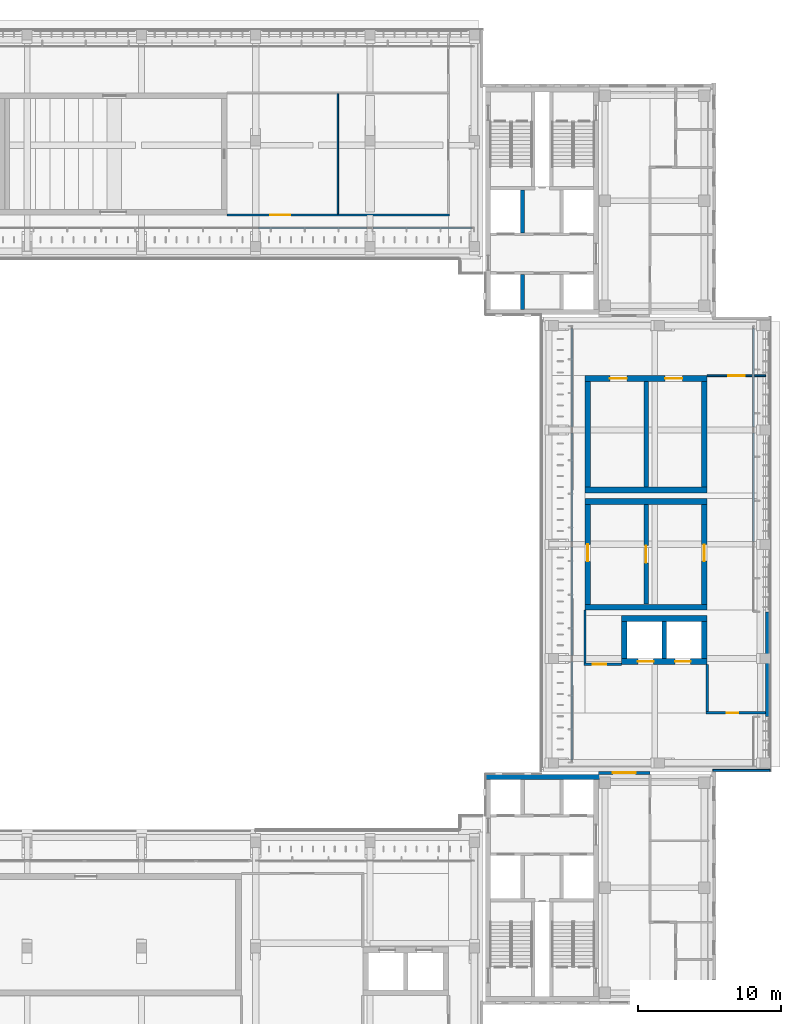
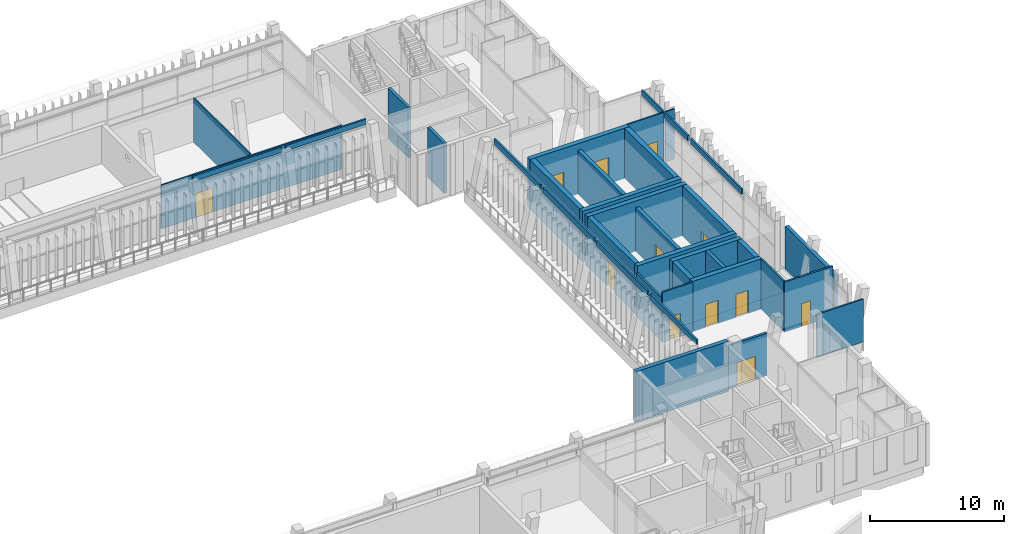
# One storey, part 49 of 74: 37 walls, 12 doors, 12 openings.
"""IFC4 building model written with IfcOpenShell, lengths in metres."""

from ifc_helpers import new_model, si_unit, direction, frame, frame_2d, origin, place, context, subcontext, project, spatial, rectangle, extrude, material, layer, layer_set, type_object, element, fill, save


model = new_model("IFC4")

# Units and contexts
model_context = context("Model", 3, precision=1e-05, world=origin(), true_north=direction((0.0, 1.0)))
body_context = subcontext(model_context, "Body", "Model", "MODEL_VIEW")
ifc_project = project(units=[si_unit("LENGTHUNIT", "METRE"), si_unit("AREAUNIT", "SQUARE_METRE"), si_unit("VOLUMEUNIT", "CUBIC_METRE"), si_unit("PLANEANGLEUNIT", "RADIAN"), si_unit("MASSUNIT", "GRAM", prefix="KILO")], contexts=[model_context])

# Site, building, storey
site_placement = place(None, origin())
site = spatial("IfcSite", under=ifc_project, at=site_placement, CompositionType="ELEMENT")
building_placement = place(site_placement, origin())
building = spatial("IfcBuilding", under=site, at=building_placement, Name="Lantern Court Media Centre", CompositionType="ELEMENT")
storey_placement = place(building_placement, frame((0.0, 0.0, 19.199951171875)))
storey = spatial("IfcBuildingStorey", under=building, at=storey_placement, Name="L04", CompositionType="ELEMENT", Elevation=19.199951171875)

# Wall, opening, door
ifc_material_1 = material(Name="Gypsum board partition")
ifc_layer_1 = layer(ifc_material_1, 0.125)
ifc_layer_set_1 = layer_set([ifc_layer_1], Name="Gypsum board partition")
wall_type_1 = type_object("IfcWallType", Name="Corridor partition 125", PredefinedType="PARTITIONING", material=ifc_layer_set_1)
wall_1_placement = place(storey_placement, frame((62.0, 103.050048828125, 0.0), z_axis=(0.0, 0.0, 1.0), x_axis=(1.0, 0.0, 0.0)))
wall_1 = element("IfcWall", 1, at=wall_1_placement, inside=storey, type_object=wall_type_1, Name="L04 partition 020", PredefinedType="PARTITIONING", context=body_context, shape_type="SweptSolid", body=[
    extrude(rectangle(XDim=15.5625, YDim=0.125, at=frame_2d((7.78125, 0.0))), origin(), (0.0, 0.0, 1.0), 3.97998046875),
])
opening_1_placement = place(wall_1_placement, frame((3.0, 0.0, 0.0)))
opening_1 = element("IfcOpeningElement", 2, at=opening_1_placement, cuts=wall_1, Name="Opening L04-012", PredefinedType="OPENING", context=body_context, shape_type="SweptSolid", body=[
    extrude(rectangle(XDim=1.39990234375, YDim=2.199951171875, at=frame_2d((0.699951171875, 1.10009765625))), frame((0.0, 0.072509765625, 0.0), z_axis=(0.0, -1.0, 0.0), x_axis=(1.0, 0.0, 0.0)), (0.0, 0.0, 1.0), 0.14501953125),
])
ifc_material_2 = material(Name="Solid-core timber door leaf", Category="wood")
door_type_1 = type_object("IfcDoorType", Name="Double door 1400x2200", OperationType="NOTDEFINED", PredefinedType="DOOR", material=ifc_material_2)
door_1_placement = place(opening_1_placement, origin())
door_1 = element("IfcDoor", 3, at=door_1_placement, inside=storey, type_object=door_type_1, Name="L04 Meeting Room 01 door", OperationType="DOUBLE_DOOR_SINGLE_SWING", OverallHeight=2.199951171875, OverallWidth=1.39990234375, PredefinedType="DOOR", context=body_context, shape_type="SweptSolid", body=[
    extrude(rectangle(XDim=1.39990234375, YDim=2.199951171875, at=frame_2d((0.699951171875, 1.10009765625))), frame((0.0, 0.02490234375, 0.0), z_axis=(0.0, -1.0, 0.0), x_axis=(1.0, 0.0, 0.0)), (0.0, 0.0, 1.0), 0.050048828125),
])
fill(opening_1, door_1)

wall_2_placement = place(storey_placement, frame((95.60498046875, 91.800048828125, 0.0), z_axis=(0.0, 0.0, 1.0), x_axis=(1.0, 0.0, 0.0)))
wall_2 = element("IfcWall", 4, at=wall_2_placement, inside=storey, type_object=wall_type_1, Name="L04 partition 029", PredefinedType="PARTITIONING", context=body_context, shape_type="SweptSolid", body=[
    extrude(rectangle(XDim=3.1650390625, YDim=0.125, at=frame_2d((1.58251953125, 0.0))), origin(), (0.0, 0.0, 1.0), 4.56005859375),
])
opening_2_placement = place(wall_2_placement, frame((1.469970703125, 0.0, 0.0)))
opening_2 = element("IfcOpeningElement", 5, at=opening_2_placement, cuts=wall_2, Name="Opening L04-028", PredefinedType="OPENING", context=body_context, shape_type="SweptSolid", body=[
    extrude(rectangle(XDim=1.14990234375, YDim=2.10009765625, at=frame_2d((0.574951171875, 1.050048828125))), frame((0.0, 0.072509765625, 0.0), z_axis=(0.0, -1.0, 0.0), x_axis=(1.0, 0.0, 0.0)), (0.0, 0.0, 1.0), 0.14501953125),
])
door_type_2 = type_object("IfcDoorType", Name="Single door 1150x2100", OperationType="NOTDEFINED", PredefinedType="DOOR", material=ifc_material_2)
door_2_placement = place(opening_2_placement, frame((1.14990234375, 0.0, 0.0), z_axis=(0.0, 0.0, 1.0), x_axis=(-1.0, 0.0, 0.0)))
door_2 = element("IfcDoor", 6, at=door_2_placement, inside=storey, type_object=door_type_2, Name="L04 Engineering Workshop door", OperationType="SINGLE_SWING_LEFT", OverallHeight=2.10009765625, OverallWidth=1.14990234375, PredefinedType="DOOR", context=body_context, shape_type="SweptSolid", body=[
    extrude(rectangle(XDim=1.14990234375, YDim=2.10009765625, at=frame_2d((0.574951171875, 1.050048828125))), frame((0.0, 0.02490234375, 0.0), z_axis=(0.0, -1.0, 0.0), x_axis=(1.0, 0.0, 0.0)), (0.0, 0.0, 1.0), 0.050048828125),
])
fill(opening_2, door_2)

# Walls
wall_3_placement = place(storey_placement, frame((98.929931640625, 91.800048828125, 0.0), z_axis=(0.0, 0.0, 1.0), x_axis=(1.0, 0.0, 0.0)))
element("IfcWall", 7, at=wall_3_placement, inside=storey, type_object=wall_type_1, Name="L04 partition 030", PredefinedType="PARTITIONING", context=body_context, shape_type="SweptSolid", body=[
    extrude(rectangle(XDim=0.77001953125, YDim=0.125, at=frame_2d((0.385009765625, 0.0))), origin(), (0.0, 0.0, 1.0), 4.56005859375),
])
ifc_material_3 = material(Name="Insulated rendered blockwork", Category="masonry")
ifc_layer_2 = layer(ifc_material_3, 0.14990234375)
ifc_layer_set_2 = layer_set([ifc_layer_2], Name="Insulated rendered blockwork")
wall_type_2 = type_object("IfcWallType", Name="Head infill wall 150", PredefinedType="SOLIDWALL", material=ifc_layer_set_2)
wall_4_placement = place(storey_placement, frame((64.199951171875, 102.14990234375, 4.10009765625), z_axis=(0.0, 0.0, 1.0), x_axis=(1.0, 0.0, 0.0)))
element("IfcWall", 8, at=wall_4_placement, inside=storey, type_object=wall_type_2, Name="Head infill wall N inner L04", PredefinedType="SOLIDWALL", context=body_context, shape_type="SweptSolid", body=[
    extrude(rectangle(XDim=7.60009765625, YDim=0.14990234375, at=frame_2d((3.800048828125, 0.0))), origin(), (0.0, 0.0, 1.0), 0.47998046875),
])
wall_5_placement = place(storey_placement, frame((72.199951171875, 102.14990234375, 4.10009765625), z_axis=(0.0, 0.0, 1.0), x_axis=(1.0, 0.0, 0.0)))
element("IfcWall", 9, at=wall_5_placement, inside=storey, type_object=wall_type_2, Name="Head infill wall N inner L04", PredefinedType="SOLIDWALL", context=body_context, shape_type="SweptSolid", body=[
    extrude(rectangle(XDim=6.900146484375, YDim=0.14990234375, at=frame_2d((3.4501953125, 0.0))), origin(), (0.0, 0.0, 1.0), 0.47998046875),
])
wall_6_placement = place(storey_placement, frame((98.85009765625, 80.199951171875, 4.10009765625), z_axis=(0.0, 0.0, 1.0), x_axis=(0.0, 1.0, 0.0)))
element("IfcWall", 10, at=wall_6_placement, inside=storey, type_object=wall_type_2, Name="Head infill wall E outer L04", PredefinedType="SOLIDWALL", context=body_context, shape_type="SweptSolid", body=[
    extrude(rectangle(XDim=7.60009765625, YDim=0.14990234375, at=frame_2d((3.800048828125, 0.0))), origin(), (0.0, 0.0, 1.0), 0.47998046875),
])
for number, where, z_axis, x_axis, name in (
    (11, (98.85009765625, 88.199951171875, 4.10009765625), (0.0, 0.0, 1.0), (0.0, 1.0, 0.0), "Head infill wall E outer L04"),
    (12, (86.14990234375, 64.89990234375, 4.10009765625), (0.0, 0.0, 1.0), (0.0, 1.0, 0.0), "Head infill wall E inner L04"),
):
    element("IfcWall", number, at=place(storey_placement, frame(where, z_axis=z_axis, x_axis=x_axis)), inside=storey, type_object=wall_type_2, Name=name, PredefinedType="SOLIDWALL", context=body_context, shape_type="SweptSolid", body=[
        extrude(rectangle(XDim=6.900146484375, YDim=0.14990234375, at=frame_2d((3.4501953125, 0.0))), origin(), (0.0, 0.0, 1.0), 0.47998046875),
    ])
for number, where, z_axis, x_axis, name in (
    (13, (86.14990234375, 72.199951171875, 4.10009765625), (0.0, 0.0, 1.0), (0.0, 1.0, 0.0), "Head infill wall E inner L04"),
    (14, (86.14990234375, 80.199951171875, 4.10009765625), (0.0, 0.0, 1.0), (0.0, 1.0, 0.0), "Head infill wall E inner L04"),
):
    element("IfcWall", number, at=place(storey_placement, frame(where, z_axis=z_axis, x_axis=x_axis)), inside=storey, type_object=wall_type_2, Name=name, PredefinedType="SOLIDWALL", context=body_context, shape_type="SweptSolid", body=[
        extrude(rectangle(XDim=7.60009765625, YDim=0.14990234375, at=frame_2d((3.800048828125, 0.0))), origin(), (0.0, 0.0, 1.0), 0.47998046875),
    ])
wall_7_placement = place(storey_placement, frame((86.14990234375, 88.199951171875, 4.10009765625), z_axis=(0.0, 0.0, 1.0), x_axis=(0.0, 1.0, 0.0)))
element("IfcWall", 15, at=wall_7_placement, inside=storey, type_object=wall_type_2, Name="Head infill wall E inner L04", PredefinedType="SOLIDWALL", context=body_context, shape_type="SweptSolid", body=[
    extrude(rectangle(XDim=6.900146484375, YDim=0.14990234375, at=frame_2d((3.4501953125, 0.0))), origin(), (0.0, 0.0, 1.0), 0.47998046875),
])
ifc_material_4 = material(Name="Honed limestone cladding on blockwork", Category="masonry")
ifc_layer_3 = layer(ifc_material_4, 0.139892578125)
ifc_layer_set_3 = layer_set([ifc_layer_3], Name="Honed limestone cladding on blockwork")
wall_type_3 = type_object("IfcWallType", Name="Limestone closure wall 140", PredefinedType="SOLIDWALL", material=ifc_layer_set_3)
wall_8_placement = place(storey_placement, frame((96.0, 64.169921875, 0.0), z_axis=(0.0, 0.0, 1.0), x_axis=(1.0, 0.0, 0.0)))
element("IfcWall", 16, at=wall_8_placement, inside=storey, type_object=wall_type_3, Name="Limestone closure wall E-SE L04", PredefinedType="SOLIDWALL", context=body_context, shape_type="SweptSolid", body=[
    extrude(rectangle(XDim=4.0, YDim=0.139892578125, at=frame_2d((2.0, 0.0))), origin(), (0.0, 0.0, 1.0), 3.900146484375),
])
ifc_layer_4 = layer(ifc_material_4, 0.300048828125)
ifc_layer_set_4 = layer_set([ifc_layer_4], Name="Honed limestone cladding on blockwork")
wall_type_4 = type_object("IfcWallType", Name="Limestone flank wall 300", PredefinedType="SOLIDWALL", material=ifc_layer_set_4)
wall_9_placement = place(storey_placement, frame((99.85009765625, 67.949951171875, 0.0), z_axis=(0.0, 0.0, 1.0), x_axis=(0.0, 1.0, 0.0)))
element("IfcWall", 17, at=wall_9_placement, inside=storey, type_object=wall_type_4, Name="Limestone flank wall E outer L04", PredefinedType="SOLIDWALL", context=body_context, shape_type="SweptSolid", body=[
    extrude(rectangle(XDim=7.300048828125, YDim=0.300048828125, at=frame_2d((3.64990234375, 0.0))), origin(), (0.0, 0.0, 1.0), 3.900146484375),
])

# Wall, opening, door
ifc_material_5 = material(Name="Fire-rated gypsum board")
ifc_layer_5 = layer(ifc_material_5, 0.199951171875)
ifc_layer_set_5 = layer_set([ifc_layer_5], Name="Fire-rated gypsum board")
wall_type_5 = type_object("IfcWallType", Name="Movement-joint compartment wall 200", PredefinedType="PARTITIONING", material=ifc_layer_set_5)
wall_10_placement = place(storey_placement, frame((88.0, 64.0, 0.0), z_axis=(0.0, 0.0, 1.0), x_axis=(1.0, 0.0, 0.0)))
wall_10 = element("IfcWall", 18, at=wall_10_placement, inside=storey, type_object=wall_type_5, Name="L04 movement-joint wall 17", PredefinedType="PARTITIONING", context=body_context, shape_type="SweptSolid", body=[
    extrude(rectangle(XDim=3.60009765625, YDim=0.199951171875, at=frame_2d((1.800048828125, 0.0))), origin(), (0.0, 0.0, 1.0), 3.880126953125),
])
opening_3_placement = place(wall_10_placement, frame((1.0, 0.0, 0.0)))
opening_3 = element("IfcOpeningElement", 19, at=opening_3_placement, cuts=wall_10, Name="Opening L04-J17", PredefinedType="OPENING", context=body_context, shape_type="SweptSolid", body=[
    extrude(rectangle(XDim=1.60009765625, YDim=2.10009765625, at=frame_2d((0.800048828125, 1.050048828125))), frame((0.0, 0.10986328125, 0.0), z_axis=(0.0, -1.0, 0.0), x_axis=(1.0, 0.0, 0.0)), (0.0, 0.0, 1.0), 0.219970703125),
])
ifc_material_6 = material(Name="Steel door leaf", Category="steel")
door_type_3 = type_object("IfcDoorType", Name="Movement-joint fire door pair 1600x2100", OperationType="NOTDEFINED", PredefinedType="DOOR", material=ifc_material_6)
door_3_placement = place(opening_3_placement, frame((1.60009765625, 0.0, 0.0), z_axis=(0.0, 0.0, 1.0), x_axis=(-1.0, 0.0, 0.0)))
door_3 = element("IfcDoor", 20, at=door_3_placement, inside=storey, type_object=door_type_3, Name="L04 bar end lobby door 17", OperationType="DOUBLE_DOOR_SINGLE_SWING", OverallHeight=2.10009765625, OverallWidth=1.60009765625, PredefinedType="DOOR", context=body_context, shape_type="SweptSolid", body=[
    extrude(rectangle(XDim=1.60009765625, YDim=2.10009765625, at=frame_2d((0.800048828125, 1.050048828125))), frame((0.0, 0.02490234375, 0.0), z_axis=(0.0, -1.0, 0.0), x_axis=(1.0, 0.0, 0.0)), (0.0, 0.0, 1.0), 0.050048828125),
])
fill(opening_3, door_3)

# Wall
ifc_layer_6 = layer(ifc_material_1, 0.10009765625)
ifc_layer_set_6 = layer_set([ifc_layer_6], Name="Gypsum board partition")
wall_type_6 = type_object("IfcWallType", Name="Partition 100", PredefinedType="PARTITIONING", material=ifc_layer_set_6)
wall_11_placement = place(storey_placement, frame((69.75, 103.112548828125, 0.0), z_axis=(0.0, 0.0, 1.0), x_axis=(0.0, 1.0, 0.0)))
element("IfcWall", 21, at=wall_11_placement, inside=storey, type_object=wall_type_6, Name="L04 partition 021", PredefinedType="PARTITIONING", context=body_context, shape_type="SweptSolid", body=[
    extrude(rectangle(XDim=8.4375, YDim=0.10009765625, at=frame_2d((4.21875, 0.0))), origin(), (0.0, 0.0, 1.0), 4.080078125),
])

# Wall, opening, door
ifc_material_7 = material(Name="Concrete blockwork C20", Category="masonry")
ifc_layer_7 = layer(ifc_material_7, 0.14990234375)
ifc_layer_set_7 = layer_set([ifc_layer_7], Name="Concrete blockwork C20")
wall_type_7 = type_object("IfcWallType", Name="Partition 150 masonry", PredefinedType="PARTITIONING", material=ifc_layer_set_7)
wall_12_placement = place(storey_placement, frame((86.97509765625, 71.60009765625, 0.0), z_axis=(0.0, 0.0, 1.0), x_axis=(1.0, 0.0, 0.0)))
wall_12 = element("IfcWall", 22, at=wall_12_placement, inside=storey, type_object=wall_type_7, Name="L04 partition 034", PredefinedType="PARTITIONING", context=body_context, shape_type="SweptSolid", body=[
    extrude(rectangle(XDim=2.619873046875, YDim=0.14990234375, at=frame_2d((1.31005859375, 0.0))), origin(), (0.0, 0.0, 1.0), 4.56005859375),
])
opening_4_placement = place(wall_12_placement, frame((0.60009765625, 0.0, 0.0)))
opening_4 = element("IfcOpeningElement", 23, at=opening_4_placement, cuts=wall_12, Name="Opening L04-021", PredefinedType="OPENING", context=body_context, shape_type="SweptSolid", body=[
    extrude(rectangle(XDim=0.949951171875, YDim=2.10009765625, at=frame_2d((0.47509765625, 1.050048828125))), frame((0.0, 0.0849609375, 0.0), z_axis=(0.0, -1.0, 0.0), x_axis=(1.0, 0.0, 0.0)), (0.0, 0.0, 1.0), 0.169921875),
])
door_type_4 = type_object("IfcDoorType", Name="Accessible WC door 950x2100", OperationType="NOTDEFINED", PredefinedType="DOOR", material=ifc_material_2)
door_4_placement = place(opening_4_placement, origin())
door_4 = element("IfcDoor", 24, at=door_4_placement, inside=storey, type_object=door_type_4, Name="L04 Accessible WC door", OperationType="SINGLE_SWING_RIGHT", OverallHeight=2.10009765625, OverallWidth=0.949951171875, PredefinedType="DOOR", context=body_context, shape_type="SweptSolid", body=[
    extrude(rectangle(XDim=0.949951171875, YDim=2.10009765625, at=frame_2d((0.47509765625, 1.050048828125))), frame((0.0, 0.02490234375, 0.0), z_axis=(0.0, -1.0, 0.0), x_axis=(1.0, 0.0, 0.0)), (0.0, 0.0, 1.0), 0.050048828125),
])
fill(opening_4, door_4)

# Walls
wall_13_placement = place(storey_placement, frame((87.050048828125, 71.675048828125, 0.0), z_axis=(0.0, 0.0, 1.0), x_axis=(0.0, 1.0, 0.0)))
element("IfcWall", 25, at=wall_13_placement, inside=storey, type_object=wall_type_7, Name="L04 partition 037", PredefinedType="PARTITIONING", context=body_context, shape_type="SweptSolid", body=[
    extrude(rectangle(XDim=3.724853515625, YDim=0.14990234375, at=frame_2d((1.8623046875, 0.0))), origin(), (0.0, 0.0, 1.0), 3.97998046875),
])
ifc_material_8 = material(Name="Concrete C40", Category="concrete")
ifc_layer_8 = layer(ifc_material_8, 0.35009765625)
ifc_layer_set_8 = layer_set([ifc_layer_8], Name="Concrete C40")
wall_type_8 = type_object("IfcWallType", Name="RC CORE WALL 350", PredefinedType="SHEAR", material=ifc_layer_set_8)
wall_14_placement = place(storey_placement, frame((80.10009765625, 63.72509765625, 0.0), z_axis=(0.0, 0.0, 1.0), x_axis=(1.0, 0.0, 0.0)))
element("IfcWall", 26, at=wall_14_placement, inside=storey, type_object=wall_type_8, Name="WC-SE-L04-N", PredefinedType="SHEAR", context=body_context, shape_type="SweptSolid", body=[
    extrude(rectangle(XDim=7.949951171875, YDim=0.35009765625, at=frame_2d((3.97509765625, 0.0))), origin(), (0.0, 0.0, 1.0), 4.580078125),
])
ifc_layer_9 = layer(ifc_material_8, 0.300048828125)
ifc_layer_set_9 = layer_set([ifc_layer_9], Name="Concrete C40")
wall_type_9 = type_object("IfcWallType", Name="RC SHEAR WALL 300", PredefinedType="SHEAR", material=ifc_layer_set_9)
wall_15_placement = place(storey_placement, frame((92.60009765625, 72.0, 0.0), z_axis=(0.0, 0.0, 1.0), x_axis=(0.0, 1.0, 0.0)))
element("IfcWall", 27, at=wall_15_placement, inside=storey, type_object=wall_type_9, Name="WB-E-LC-L04-D", PredefinedType="SHEAR", context=body_context, shape_type="SweptSolid", body=[
    extrude(rectangle(XDim=2.60009765625, YDim=0.300048828125, at=frame_2d((1.300048828125, 0.0))), origin(), (0.0, 0.0, 1.0), 4.580078125),
])

# Wall, openings, doors
ifc_layer_10 = layer(ifc_material_8, 0.39990234375)
ifc_layer_set_10 = layer_set([ifc_layer_10], Name="Concrete C40")
wall_type_10 = type_object("IfcWallType", Name="RC SHEAR WALL 400", PredefinedType="SHEAR", material=ifc_layer_set_10)
wall_16_placement = place(storey_placement, frame((89.60009765625, 71.800048828125, 0.0), z_axis=(0.0, 0.0, 1.0), x_axis=(1.0, 0.0, 0.0)))
wall_16 = element("IfcWall", 28, at=wall_16_placement, inside=storey, type_object=wall_type_10, Name="WB-E-LC-L04-S", PredefinedType="SHEAR", context=body_context, shape_type="SweptSolid", body=[
    extrude(rectangle(XDim=6.0, YDim=0.39990234375, at=frame_2d((3.0, 0.0))), origin(), (0.0, 0.0, 1.0), 4.580078125),
])
opening_5_placement = place(wall_16_placement, frame((1.14990234375, 0.0, 0.0)))
opening_5 = element("IfcOpeningElement", 29, at=opening_5_placement, cuts=wall_16, Name="Opening LD-E-LCP-L04", PredefinedType="OPENING", context=body_context, shape_type="SweptSolid", body=[
    extrude(rectangle(XDim=1.10009765625, YDim=2.10009765625, at=frame_2d((0.550048828125, 1.050048828125))), frame((0.0, 0.2099609375, 0.0), z_axis=(0.0, -1.0, 0.0), x_axis=(1.0, 0.0, 0.0)), (0.0, 0.0, 1.0), 0.419921875),
])
opening_6_placement = place(wall_16_placement, frame((3.75, 0.0, 0.0)))
opening_6 = element("IfcOpeningElement", 30, at=opening_6_placement, cuts=wall_16, Name="Opening LD-E-LCS-L04", PredefinedType="OPENING", context=body_context, shape_type="SweptSolid", body=[
    extrude(rectangle(XDim=1.10009765625, YDim=2.10009765625, at=frame_2d((0.550048828125, 1.050048828125))), frame((0.0, 0.2099609375, 0.0), z_axis=(0.0, -1.0, 0.0), x_axis=(1.0, 0.0, 0.0)), (0.0, 0.0, 1.0), 0.419921875),
])
door_type_5 = type_object("IfcDoorType", Name="Lift landing door 1100x2100", OperationType="DOUBLE_DOOR_SLIDING", PredefinedType="DOOR", material=ifc_material_6)
door_5_placement = place(opening_5_placement, frame((1.10009765625, 0.0, 0.0), z_axis=(0.0, 0.0, 1.0), x_axis=(-1.0, 0.0, 0.0)))
door_5 = element("IfcDoor", 31, at=door_5_placement, inside=storey, type_object=door_type_5, Name="L04 E-LC passenger lift landing door", OperationType="DOUBLE_DOOR_SLIDING", OverallHeight=2.10009765625, OverallWidth=1.10009765625, PredefinedType="DOOR", context=body_context, shape_type="SweptSolid", body=[
    extrude(rectangle(XDim=1.10009765625, YDim=2.10009765625, at=frame_2d((0.550048828125, 1.050048828125))), frame((0.0, 0.02490234375, 0.0), z_axis=(0.0, -1.0, 0.0), x_axis=(1.0, 0.0, 0.0)), (0.0, 0.0, 1.0), 0.050048828125),
])
fill(opening_5, door_5)
door_6_placement = place(opening_6_placement, frame((1.10009765625, 0.0, 0.0), z_axis=(0.0, 0.0, 1.0), x_axis=(-1.0, 0.0, 0.0)))
door_6 = element("IfcDoor", 32, at=door_6_placement, inside=storey, type_object=door_type_5, Name="L04 E-LC service lift landing door", OperationType="DOUBLE_DOOR_SLIDING", OverallHeight=2.10009765625, OverallWidth=1.10009765625, PredefinedType="DOOR", context=body_context, shape_type="SweptSolid", body=[
    extrude(rectangle(XDim=1.10009765625, YDim=2.10009765625, at=frame_2d((0.550048828125, 1.050048828125))), frame((0.0, 0.02490234375, 0.0), z_axis=(0.0, -1.0, 0.0), x_axis=(1.0, 0.0, 0.0)), (0.0, 0.0, 1.0), 0.050048828125),
])
fill(opening_6, door_6)

# Walls
wall_17_placement = place(storey_placement, frame((89.60009765625, 74.800048828125, 0.0), z_axis=(0.0, 0.0, 1.0), x_axis=(1.0, 0.0, 0.0)))
element("IfcWall", 33, at=wall_17_placement, inside=storey, type_object=wall_type_10, Name="WB-E-LC-L04-N", PredefinedType="SHEAR", context=body_context, shape_type="SweptSolid", body=[
    extrude(rectangle(XDim=6.0, YDim=0.39990234375, at=frame_2d((3.0, 0.0))), origin(), (0.0, 0.0, 1.0), 4.580078125),
])
for number, where, z_axis, x_axis, name in (
    (34, (89.800048828125, 72.0, 0.0), (0.0, 0.0, 1.0), (0.0, 1.0, 0.0), "WB-E-LC-L04-W"),
    (35, (95.39990234375, 72.0, 0.0), (0.0, 0.0, 1.0), (0.0, 1.0, 0.0), "WB-E-LC-L04-E"),
):
    element("IfcWall", number, at=place(storey_placement, frame(where, z_axis=z_axis, x_axis=x_axis)), inside=storey, type_object=wall_type_10, Name=name, PredefinedType="SHEAR", context=body_context, shape_type="SweptSolid", body=[
        extrude(rectangle(XDim=2.60009765625, YDim=0.39990234375, at=frame_2d((1.300048828125, 0.0))), origin(), (0.0, 0.0, 1.0), 4.580078125),
    ])
for number, where, z_axis, x_axis, name in (
    (36, (87.050048828125, 75.60009765625, 0.0), (0.0, 0.0, 1.0), (1.0, 0.0, 0.0), "WB-E-RAD1-L04-S"),
    (37, (87.050048828125, 83.0, 0.0), (0.0, 0.0, 1.0), (1.0, 0.0, 0.0), "WB-E-RAD1-L04-N"),
):
    element("IfcWall", number, at=place(storey_placement, frame(where, z_axis=z_axis, x_axis=x_axis)), inside=storey, type_object=wall_type_10, Name=name, PredefinedType="SHEAR", context=body_context, shape_type="SweptSolid", body=[
        extrude(rectangle(XDim=8.550048828125, YDim=0.39990234375, at=frame_2d((4.27490234375, 0.0))), origin(), (0.0, 0.0, 1.0), 4.580078125),
    ])

# Wall, opening, door
wall_18_placement = place(storey_placement, frame((87.25, 75.800048828125, 0.0), z_axis=(0.0, 0.0, 1.0), x_axis=(0.0, 1.0, 0.0)))
wall_18 = element("IfcWall", 38, at=wall_18_placement, inside=storey, type_object=wall_type_10, Name="WB-E-RAD1-L04-W", PredefinedType="SHEAR", context=body_context, shape_type="SweptSolid", body=[
    extrude(rectangle(XDim=7.0, YDim=0.39990234375, at=frame_2d((3.5, 0.0))), origin(), (0.0, 0.0, 1.0), 4.580078125),
])
opening_7_placement = place(wall_18_placement, frame((3.0, 0.0, 0.0)))
opening_7 = element("IfcOpeningElement", 39, at=opening_7_placement, cuts=wall_18, Name="Opening L04-023", PredefinedType="OPENING", context=body_context, shape_type="SweptSolid", body=[
    extrude(rectangle(XDim=1.199951171875, YDim=2.39990234375, at=frame_2d((0.60009765625, 1.199951171875))), frame((0.0, 0.2099609375, 0.0), z_axis=(0.0, -1.0, 0.0), x_axis=(1.0, 0.0, 0.0)), (0.0, 0.0, 1.0), 0.419921875),
])
ifc_material_9 = material(Name="Acoustic timber door leaf", Category="wood")
door_type_6 = type_object("IfcDoorType", Name="Studio sound-lock door 1200x2400", OperationType="NOTDEFINED", PredefinedType="DOOR", material=ifc_material_9)
door_7_placement = place(opening_7_placement, frame((1.199951171875, 0.0, 0.0), z_axis=(0.0, 0.0, 1.0), x_axis=(-1.0, 0.0, 0.0)))
door_7 = element("IfcDoor", 40, at=door_7_placement, inside=storey, type_object=door_type_6, Name="L04 Radio Studio 01 door", OperationType="SINGLE_SWING_RIGHT", OverallHeight=2.39990234375, OverallWidth=1.199951171875, PredefinedType="DOOR", context=body_context, shape_type="SweptSolid", body=[
    extrude(rectangle(XDim=1.199951171875, YDim=2.39990234375, at=frame_2d((0.60009765625, 1.199951171875))), frame((0.0, 0.02490234375, 0.0), z_axis=(0.0, -1.0, 0.0), x_axis=(1.0, 0.0, 0.0)), (0.0, 0.0, 1.0), 0.050048828125),
])
fill(opening_7, door_7)

wall_19_placement = place(storey_placement, frame((95.39990234375, 75.800048828125, 0.0), z_axis=(0.0, 0.0, 1.0), x_axis=(0.0, 1.0, 0.0)))
wall_19 = element("IfcWall", 41, at=wall_19_placement, inside=storey, type_object=wall_type_10, Name="WB-E-RAD1-L04-E", PredefinedType="SHEAR", context=body_context, shape_type="SweptSolid", body=[
    extrude(rectangle(XDim=7.0, YDim=0.39990234375, at=frame_2d((3.5, 0.0))), origin(), (0.0, 0.0, 1.0), 4.580078125),
])
opening_8_placement = place(wall_19_placement, frame((3.026611328125, 0.0, 0.0)))
opening_8 = element("IfcOpeningElement", 42, at=opening_8_placement, cuts=wall_19, Name="Opening L04-025", PredefinedType="OPENING", context=body_context, shape_type="SweptSolid", body=[
    extrude(rectangle(XDim=1.14990234375, YDim=2.10009765625, at=frame_2d((0.574951171875, 1.050048828125))), frame((0.0, 0.2099609375, 0.0), z_axis=(0.0, -1.0, 0.0), x_axis=(1.0, 0.0, 0.0)), (0.0, 0.0, 1.0), 0.419921875),
])
door_8_placement = place(opening_8_placement, frame((1.14990234375, 0.0, 0.0), z_axis=(0.0, 0.0, 1.0), x_axis=(-1.0, 0.0, 0.0)))
door_8 = element("IfcDoor", 43, at=door_8_placement, inside=storey, type_object=door_type_2, Name="L04 Engineering Workshop door", OperationType="SINGLE_SWING_RIGHT", OverallHeight=2.10009765625, OverallWidth=1.14990234375, PredefinedType="DOOR", context=body_context, shape_type="SweptSolid", body=[
    extrude(rectangle(XDim=1.14990234375, YDim=2.10009765625, at=frame_2d((0.574951171875, 1.050048828125))), frame((0.0, 0.02490234375, 0.0), z_axis=(0.0, -1.0, 0.0), x_axis=(1.0, 0.0, 0.0)), (0.0, 0.0, 1.0), 0.050048828125),
])
fill(opening_8, door_8)

# Wall
wall_20_placement = place(storey_placement, frame((87.050048828125, 83.800048828125, 0.0), z_axis=(0.0, 0.0, 1.0), x_axis=(1.0, 0.0, 0.0)))
element("IfcWall", 44, at=wall_20_placement, inside=storey, type_object=wall_type_10, Name="WB-E-RAD2-L04-S", PredefinedType="SHEAR", context=body_context, shape_type="SweptSolid", body=[
    extrude(rectangle(XDim=8.550048828125, YDim=0.39990234375, at=frame_2d((4.27490234375, 0.0))), origin(), (0.0, 0.0, 1.0), 4.580078125),
])

# Wall, openings, doors
wall_21_placement = place(storey_placement, frame((87.050048828125, 91.60009765625, 0.0), z_axis=(0.0, 0.0, 1.0), x_axis=(1.0, 0.0, 0.0)))
wall_21 = element("IfcWall", 45, at=wall_21_placement, inside=storey, type_object=wall_type_10, Name="WB-E-RAD2-L04-N", PredefinedType="SHEAR", context=body_context, shape_type="SweptSolid", body=[
    extrude(rectangle(XDim=8.550048828125, YDim=0.39990234375, at=frame_2d((4.27490234375, 0.0))), origin(), (0.0, 0.0, 1.0), 4.580078125),
])
opening_9_placement = place(wall_21_placement, frame((1.737548828125, 0.0, 0.0)))
opening_9 = element("IfcOpeningElement", 46, at=opening_9_placement, cuts=wall_21, Name="Opening L04-026", PredefinedType="OPENING", context=body_context, shape_type="SweptSolid", body=[
    extrude(rectangle(XDim=1.199951171875, YDim=2.39990234375, at=frame_2d((0.60009765625, 1.199951171875))), frame((0.0, 0.2099609375, 0.0), z_axis=(0.0, -1.0, 0.0), x_axis=(1.0, 0.0, 0.0)), (0.0, 0.0, 1.0), 0.419921875),
])
opening_10_placement = place(wall_21_placement, frame((5.612548828125, 0.0, 0.0)))
opening_10 = element("IfcOpeningElement", 47, at=opening_10_placement, cuts=wall_21, Name="Opening L04-027", PredefinedType="OPENING", context=body_context, shape_type="SweptSolid", body=[
    extrude(rectangle(XDim=1.199951171875, YDim=2.39990234375, at=frame_2d((0.60009765625, 1.199951171875))), frame((0.0, 0.2099609375, 0.0), z_axis=(0.0, -1.0, 0.0), x_axis=(1.0, 0.0, 0.0)), (0.0, 0.0, 1.0), 0.419921875),
])
door_9_placement = place(opening_9_placement, frame((1.199951171875, 0.0, 0.0), z_axis=(0.0, 0.0, 1.0), x_axis=(-1.0, 0.0, 0.0)))
door_9 = element("IfcDoor", 48, at=door_9_placement, inside=storey, type_object=door_type_6, Name="L04 Radio Studio 02 door", OperationType="SINGLE_SWING_LEFT", OverallHeight=2.39990234375, OverallWidth=1.199951171875, PredefinedType="DOOR", context=body_context, shape_type="SweptSolid", body=[
    extrude(rectangle(XDim=1.199951171875, YDim=2.39990234375, at=frame_2d((0.60009765625, 1.199951171875))), frame((0.0, 0.02490234375, 0.0), z_axis=(0.0, -1.0, 0.0), x_axis=(1.0, 0.0, 0.0)), (0.0, 0.0, 1.0), 0.050048828125),
])
fill(opening_9, door_9)
door_10_placement = place(opening_10_placement, frame((1.199951171875, 0.0, 0.0), z_axis=(0.0, 0.0, 1.0), x_axis=(-1.0, 0.0, 0.0)))
door_10 = element("IfcDoor", 49, at=door_10_placement, inside=storey, type_object=door_type_6, Name="L04 Radio Control Room 02 door", OperationType="SINGLE_SWING_RIGHT", OverallHeight=2.39990234375, OverallWidth=1.199951171875, PredefinedType="DOOR", context=body_context, shape_type="SweptSolid", body=[
    extrude(rectangle(XDim=1.199951171875, YDim=2.39990234375, at=frame_2d((0.60009765625, 1.199951171875))), frame((0.0, 0.02490234375, 0.0), z_axis=(0.0, -1.0, 0.0), x_axis=(1.0, 0.0, 0.0)), (0.0, 0.0, 1.0), 0.050048828125),
])
fill(opening_10, door_10)

# Walls
for number, where, z_axis, x_axis, name in (
    (50, (87.25, 84.0, 0.0), (0.0, 0.0, 1.0), (0.0, 1.0, 0.0), "WB-E-RAD2-L04-W"),
    (51, (95.39990234375, 84.0, 0.0), (0.0, 0.0, 1.0), (0.0, 1.0, 0.0), "WB-E-RAD2-L04-E"),
):
    element("IfcWall", number, at=place(storey_placement, frame(where, z_axis=z_axis, x_axis=x_axis)), inside=storey, type_object=wall_type_10, Name=name, PredefinedType="SHEAR", context=body_context, shape_type="SweptSolid", body=[
        extrude(rectangle(XDim=7.39990234375, YDim=0.39990234375, at=frame_2d((3.699951171875, 0.0))), origin(), (0.0, 0.0, 1.0), 4.580078125),
    ])
ifc_layer_11 = layer(ifc_material_8, 0.25)
ifc_layer_set_11 = layer_set([ifc_layer_11], Name="Concrete C40")
wall_type_11 = type_object("IfcWallType", Name="RC lift shaft wall 250", PredefinedType="SOLIDWALL", material=ifc_layer_set_11)
wall_22_placement = place(storey_placement, frame((82.675048828125, 104.800048828125, 0.0), z_axis=(0.0, 0.0, 1.0), x_axis=(0.0, -1.0, 0.0)))
element("IfcWall", 52, at=wall_22_placement, inside=storey, type_object=wall_type_11, Name="L04 NE L2a", PredefinedType="SOLIDWALL", context=body_context, shape_type="SweptSolid", body=[
    extrude(rectangle(XDim=3.0, YDim=0.25, at=frame_2d((1.5, 0.0))), origin(), (0.0, 0.0, 1.0), 4.550048828125),
])
wall_23_placement = place(storey_placement, frame((82.675048828125, 98.89990234375, 0.0), z_axis=(0.0, 0.0, 1.0), x_axis=(0.0, -1.0, 0.0)))
element("IfcWall", 53, at=wall_23_placement, inside=storey, type_object=wall_type_11, Name="L04 NE L2b", PredefinedType="SOLIDWALL", context=body_context, shape_type="SweptSolid", body=[
    extrude(rectangle(XDim=2.449951171875, YDim=0.25, at=frame_2d((1.22509765625, 0.0))), origin(), (0.0, 0.0, 1.0), 4.550048828125),
])

# Wall, opening, door
ifc_layer_12 = layer(ifc_material_5, 0.159912109375)
ifc_layer_set_12 = layer_set([ifc_layer_12], Name="Fire-rated gypsum board")
wall_type_12 = type_object("IfcWallType", Name="Riser shaft liner wall 160", PredefinedType="PARTITIONING", material=ifc_layer_set_12)
wall_24_placement = place(storey_placement, frame((95.52001953125, 68.199951171875, 0.0), z_axis=(0.0, 0.0, 1.0), x_axis=(1.0, 0.0, 0.0)))
wall_24 = element("IfcWall", 54, at=wall_24_placement, inside=storey, type_object=wall_type_12, Name="L04 partition 026", PredefinedType="PARTITIONING", context=body_context, shape_type="SweptSolid", body=[
    extrude(rectangle(XDim=4.175048828125, YDim=0.159912109375, at=frame_2d((2.08740234375, 0.0))), origin(), (0.0, 0.0, 1.0), 4.56005859375),
])
opening_11_placement = place(wall_24_placement, frame((1.455078125, 0.0, 0.0)))
opening_11 = element("IfcOpeningElement", 55, at=opening_11_placement, cuts=wall_24, Name="Opening L04-022", PredefinedType="OPENING", context=body_context, shape_type="SweptSolid", body=[
    extrude(rectangle(XDim=0.800048828125, YDim=2.10009765625, at=frame_2d((0.39990234375, 1.050048828125))), frame((0.0, 0.08984375, 0.0), z_axis=(0.0, -1.0, 0.0), x_axis=(1.0, 0.0, 0.0)), (0.0, 0.0, 1.0), 0.179931640625),
])
door_type_7 = type_object("IfcDoorType", Name="Riser access fire door 800x2100", OperationType="NOTDEFINED", PredefinedType="DOOR", material=ifc_material_6)
door_11_placement = place(opening_11_placement, origin())
door_11 = element("IfcDoor", 56, at=door_11_placement, inside=storey, type_object=door_type_7, Name="L04 Services Duct door", OperationType="SINGLE_SWING_LEFT", OverallHeight=2.10009765625, OverallWidth=0.800048828125, PredefinedType="DOOR", context=body_context, shape_type="SweptSolid", body=[
    extrude(rectangle(XDim=0.800048828125, YDim=2.10009765625, at=frame_2d((0.39990234375, 1.050048828125))), frame((0.0, 0.02490234375, 0.0), z_axis=(0.0, -1.0, 0.0), x_axis=(1.0, 0.0, 0.0)), (0.0, 0.0, 1.0), 0.050048828125),
])
fill(opening_11, door_11)

# Wall
wall_25_placement = place(storey_placement, frame((95.60009765625, 68.280029296875, 0.0), z_axis=(0.0, 0.0, 1.0), x_axis=(0.0, 1.0, 0.0)))
element("IfcWall", 57, at=wall_25_placement, inside=storey, type_object=wall_type_12, Name="L04 partition 036", PredefinedType="PARTITIONING", context=body_context, shape_type="SweptSolid", body=[
    extrude(rectangle(XDim=3.31494140625, YDim=0.159912109375, at=frame_2d((1.657470703125, 0.0))), origin(), (0.0, 0.0, 1.0), 4.56005859375),
])

# Wall, opening, door
ifc_material_10 = material(Name="Acoustic gypsum board")
ifc_layer_13 = layer(ifc_material_10, 0.320068359375)
ifc_layer_set_13 = layer_set([ifc_layer_13], Name="Acoustic gypsum board")
wall_type_13 = type_object("IfcWallType", Name="Studio isolation double-leaf wall 320", PredefinedType="PARTITIONING", material=ifc_layer_set_13)
wall_26_placement = place(storey_placement, frame((91.324951171875, 75.804931640625, 0.0), z_axis=(0.0, 0.0, 1.0), x_axis=(0.0, 1.0, 0.0)))
wall_26 = element("IfcWall", 58, at=wall_26_placement, inside=storey, type_object=wall_type_13, Name="L04 partition 038", PredefinedType="PARTITIONING", context=body_context, shape_type="SweptSolid", body=[
    extrude(rectangle(XDim=6.989990234375, YDim=0.320068359375, at=frame_2d((3.4951171875, 0.0))), origin(), (0.0, 0.0, 1.0), 3.97998046875),
])
opening_12_placement = place(wall_26_placement, frame((2.89501953125, 0.0, 0.0)))
opening_12 = element("IfcOpeningElement", 59, at=opening_12_placement, cuts=wall_26, Name="Opening L04-024", PredefinedType="OPENING", context=body_context, shape_type="SweptSolid", body=[
    extrude(rectangle(XDim=1.199951171875, YDim=2.39990234375, at=frame_2d((0.60009765625, 1.199951171875))), frame((0.0, 0.169921875, 0.0), z_axis=(0.0, -1.0, 0.0), x_axis=(1.0, 0.0, 0.0)), (0.0, 0.0, 1.0), 0.340087890625),
])
door_12_placement = place(opening_12_placement, frame((1.199951171875, 0.0, 0.0), z_axis=(0.0, 0.0, 1.0), x_axis=(-1.0, 0.0, 0.0)))
door_12 = element("IfcDoor", 60, at=door_12_placement, inside=storey, type_object=door_type_6, Name="L04 Radio Control Room 01 door", OperationType="SINGLE_SWING_LEFT", OverallHeight=2.39990234375, OverallWidth=1.199951171875, PredefinedType="DOOR", context=body_context, shape_type="SweptSolid", body=[
    extrude(rectangle(XDim=1.199951171875, YDim=2.39990234375, at=frame_2d((0.60009765625, 1.199951171875))), frame((0.0, 0.02490234375, 0.0), z_axis=(0.0, -1.0, 0.0), x_axis=(1.0, 0.0, 0.0)), (0.0, 0.0, 1.0), 0.050048828125),
])
fill(opening_12, door_12)

# Wall
wall_27_placement = place(storey_placement, frame((91.324951171875, 84.0048828125, 0.0), z_axis=(0.0, 0.0, 1.0), x_axis=(0.0, 1.0, 0.0)))
element("IfcWall", 61, at=wall_27_placement, inside=storey, type_object=wall_type_13, Name="L04 partition 039", PredefinedType="PARTITIONING", context=body_context, shape_type="SweptSolid", body=[
    extrude(rectangle(XDim=7.39013671875, YDim=0.320068359375, at=frame_2d((3.695068359375, 0.0))), origin(), (0.0, 0.0, 1.0), 3.97998046875),
])

save(model, "model.ifc")
